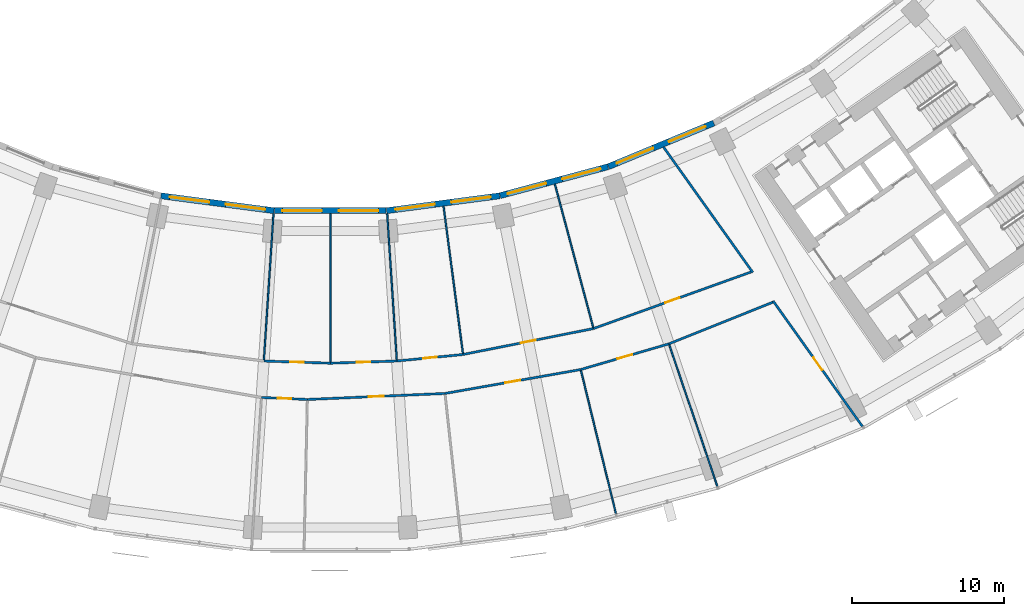
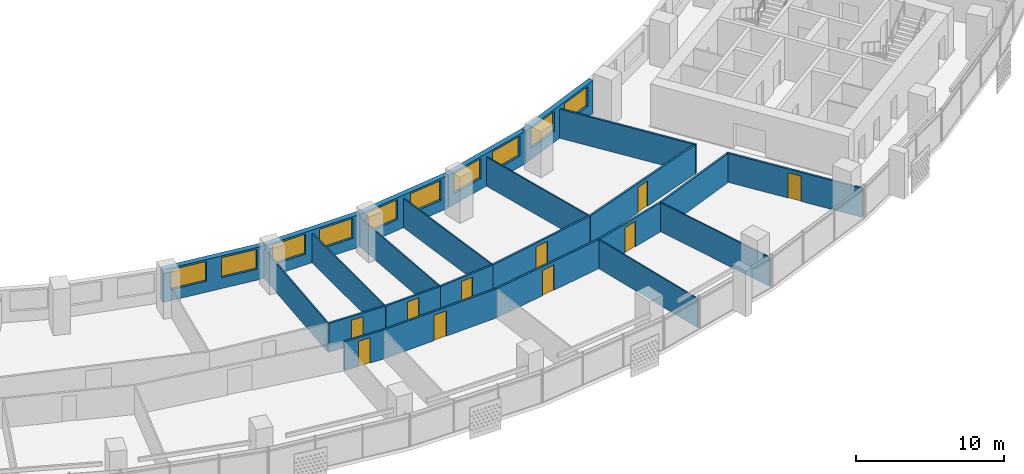
# One storey, part 6 of 29: 24 walls, 10 doors, 10 windows, 20 openings.
"""IFC4 building model written with IfcOpenShell, lengths in metres."""

from ifc_helpers import new_model, si_unit, direction, frame, frame_2d, origin, place, context, subcontext, project, spatial, rectangle, extrude, material, layer, layer_set, type_object, element, fill, save


model = new_model("IFC4")

# Units and contexts
model_context = context("Model", 3, precision=1e-05, world=origin(), true_north=direction((0.0, 1.0)))
body_context = subcontext(model_context, "Body", "Model", "MODEL_VIEW")
ifc_project = project(units=[si_unit("LENGTHUNIT", "METRE"), si_unit("AREAUNIT", "SQUARE_METRE"), si_unit("VOLUMEUNIT", "CUBIC_METRE"), si_unit("PLANEANGLEUNIT", "RADIAN"), si_unit("MASSUNIT", "GRAM", prefix="KILO")], contexts=[model_context])

# Site, building, storey
site_placement = place(None, origin())
site = spatial("IfcSite", under=ifc_project, at=site_placement, CompositionType="ELEMENT")
building_placement = place(site_placement, origin())
building = spatial("IfcBuilding", under=site, at=building_placement, Name="Qamariyya Broadcast Tower", CompositionType="ELEMENT")
storey_placement = place(building_placement, frame((0.0, 0.0, 136.699951171875)))
storey = spatial("IfcBuildingStorey", under=building, at=storey_placement, Name="L31", CompositionType="ELEMENT", Elevation=136.699951171875)

# Wall, opening, door
ifc_material_1 = material(Name="Gypsum board partition")
ifc_layer_1 = layer(ifc_material_1, 0.14990234375)
ifc_layer_set_1 = layer_set([ifc_layer_1], Name="Corridor partition 150 EI 60")
wall_type_1 = type_object("IfcWallType", Name="Corridor partition 150 EI 60", PredefinedType="PARTITIONING", material=ifc_layer_set_1)
wall_1_placement = place(storey_placement, frame((-1.511474609375, -69.18359375, 0.0), z_axis=(0.0, 0.0, 1.0), x_axis=(-0.999044980715, 0.043693552246, 0.0)))
wall_1 = element("IfcWall", 1, at=wall_1_placement, inside=storey, type_object=wall_type_1, Name="Partition L31-019", PredefinedType="PARTITIONING", context=body_context, shape_type="SweptSolid", body=[
    extrude(rectangle(XDim=3.017333984375, YDim=0.14990234375, at=frame_2d((1.5087890625, 0.0))), origin(), (0.0, 0.0, 1.0), 2.400146484375),
])
opening_1_placement = place(wall_1_placement, frame((1.05859375, 0.0, 0.0)))
opening_1 = element("IfcOpeningElement", 2, at=opening_1_placement, cuts=wall_1, Name="Opening L31-D04", PredefinedType="OPENING", context=body_context, shape_type="SweptSolid", body=[
    extrude(rectangle(XDim=0.89990234375, YDim=2.10009765625, at=frame_2d((0.449951171875, 1.050048828125))), frame((0.0, 0.0849609375, 0.0), z_axis=(0.0, -1.0, 0.0), x_axis=(1.0, 0.0, 0.0)), (0.0, 0.0, 1.0), 0.169921875),
])
ifc_material_2 = material(Name="Timber fire door leaf", Category="wood")
door_type_1 = type_object("IfcDoorType", Name="Fire door 900 x 2100 FD60", OperationType="NOTDEFINED", PredefinedType="DOOR", material=ifc_material_2)
door_1_placement = place(opening_1_placement, origin())
door_1 = element("IfcDoor", 3, at=door_1_placement, inside=storey, type_object=door_type_1, Name="Door L31-D04", OperationType="SINGLE_SWING_RIGHT", OverallHeight=2.10009765625, OverallWidth=0.89990234375, PredefinedType="DOOR", context=body_context, shape_type="SweptSolid", body=[
    extrude(rectangle(XDim=0.89990234375, YDim=2.10009765625, at=frame_2d((0.449951171875, 1.050048828125))), frame((0.0, 0.02490234375, 0.0), z_axis=(0.0, -1.0, 0.0), x_axis=(1.0, 0.0, 0.0)), (0.0, 0.0, 1.0), 0.050048828125),
])
fill(opening_1, door_1)

wall_2_placement = place(storey_placement, frame((-4.368896484375, -66.656982421875, 0.0), z_axis=(0.0, 0.0, 1.0), x_axis=(0.99946426167, -0.03272903366, 0.0)))
wall_2 = element("IfcWall", 4, at=wall_2_placement, inside=storey, type_object=wall_type_1, Name="Partition L31-020", PredefinedType="PARTITIONING", context=body_context, shape_type="SweptSolid", body=[
    extrude(rectangle(XDim=4.371337890625, YDim=0.14990234375, at=frame_2d((2.185546875, 0.0))), origin(), (0.0, 0.0, 1.0), 2.400146484375),
])
opening_2_placement = place(wall_2_placement, frame((1.735595703125, 0.0, 0.0)))
opening_2 = element("IfcOpeningElement", 5, at=opening_2_placement, cuts=wall_2, Name="Opening L31-D11", PredefinedType="OPENING", context=body_context, shape_type="SweptSolid", body=[
    extrude(rectangle(XDim=0.89990234375, YDim=2.10009765625, at=frame_2d((0.449951171875, 1.050048828125))), frame((0.0, 0.0849609375, 0.0), z_axis=(0.0, -1.0, 0.0), x_axis=(1.0, 0.0, 0.0)), (0.0, 0.0, 1.0), 0.169921875),
])
door_2_placement = place(opening_2_placement, origin())
door_2 = element("IfcDoor", 6, at=door_2_placement, inside=storey, type_object=door_type_1, Name="Door L31-D11", OperationType="SINGLE_SWING_RIGHT", OverallHeight=2.10009765625, OverallWidth=0.89990234375, PredefinedType="DOOR", context=body_context, shape_type="SweptSolid", body=[
    extrude(rectangle(XDim=0.89990234375, YDim=2.10009765625, at=frame_2d((0.449951171875, 1.050048828125))), frame((0.0, 0.02490234375, 0.0), z_axis=(0.0, -1.0, 0.0), x_axis=(1.0, 0.0, 0.0)), (0.0, 0.0, 1.0), 0.050048828125),
])
fill(opening_2, door_2)

wall_3_placement = place(storey_placement, frame((7.53173828125, -68.788818359375, 0.0), z_axis=(0.0, 0.0, 1.0), x_axis=(-0.999048509506, -0.043612792308, 0.0)))
wall_3 = element("IfcWall", 7, at=wall_3_placement, inside=storey, type_object=wall_type_1, Name="Partition L31-023", PredefinedType="PARTITIONING", context=body_context, shape_type="SweptSolid", body=[
    extrude(rectangle(XDim=9.0517578125, YDim=0.14990234375, at=frame_2d((4.52587890625, 0.0))), origin(), (0.0, 0.0, 1.0), 2.400146484375),
])
opening_3_placement = place(wall_3_placement, frame((4.02587890625, 0.0, 0.0)))
opening_3 = element("IfcOpeningElement", 8, at=opening_3_placement, cuts=wall_3, Name="Opening L31-D05", PredefinedType="OPENING", context=body_context, shape_type="SweptSolid", body=[
    extrude(rectangle(XDim=1.0, YDim=2.10009765625, at=frame_2d((0.5, 1.050048828125))), frame((0.0, 0.0849609375, 0.0), z_axis=(0.0, -1.0, 0.0), x_axis=(1.0, 0.0, 0.0)), (0.0, 0.0, 1.0), 0.169921875),
])
door_type_2 = type_object("IfcDoorType", Name="Fire door 1000 x 2100 FD60", OperationType="NOTDEFINED", PredefinedType="DOOR", material=ifc_material_2)
door_3_placement = place(opening_3_placement, origin())
door_3 = element("IfcDoor", 9, at=door_3_placement, inside=storey, type_object=door_type_2, Name="Door L31-D05", OperationType="SINGLE_SWING_RIGHT", OverallHeight=2.10009765625, OverallWidth=1.0, PredefinedType="DOOR", context=body_context, shape_type="SweptSolid", body=[
    extrude(rectangle(XDim=1.0, YDim=2.10009765625, at=frame_2d((0.5, 1.050048828125))), frame((0.0, 0.02490234375, 0.0), z_axis=(0.0, -1.0, 0.0), x_axis=(1.0, 0.0, 0.0)), (0.0, 0.0, 1.0), 0.050048828125),
])
fill(opening_3, door_3)

wall_4_placement = place(storey_placement, frame((0.0, -66.800048828125, 0.0), z_axis=(0.0, 0.0, 1.0), x_axis=(0.99946426167, 0.03272903366, 0.0)))
wall_4 = element("IfcWall", 10, at=wall_4_placement, inside=storey, type_object=wall_type_1, Name="Partition L31-024", PredefinedType="PARTITIONING", context=body_context, shape_type="SweptSolid", body=[
    extrude(rectangle(XDim=4.371337890625, YDim=0.14990234375, at=frame_2d((2.185546875, 0.0))), origin(), (0.0, 0.0, 1.0), 2.400146484375),
])
opening_4_placement = place(wall_4_placement, frame((1.735595703125, 0.0, 0.0)))
opening_4 = element("IfcOpeningElement", 11, at=opening_4_placement, cuts=wall_4, Name="Opening L31-D12", PredefinedType="OPENING", context=body_context, shape_type="SweptSolid", body=[
    extrude(rectangle(XDim=0.89990234375, YDim=2.10009765625, at=frame_2d((0.449951171875, 1.050048828125))), frame((0.0, 0.0849609375, 0.0), z_axis=(0.0, -1.0, 0.0), x_axis=(1.0, 0.0, 0.0)), (0.0, 0.0, 1.0), 0.169921875),
])
door_4_placement = place(opening_4_placement, origin())
door_4 = element("IfcDoor", 12, at=door_4_placement, inside=storey, type_object=door_type_1, Name="Door L31-D12", OperationType="SINGLE_SWING_RIGHT", OverallHeight=2.10009765625, OverallWidth=0.89990234375, PredefinedType="DOOR", context=body_context, shape_type="SweptSolid", body=[
    extrude(rectangle(XDim=0.89990234375, YDim=2.10009765625, at=frame_2d((0.449951171875, 1.050048828125))), frame((0.0, 0.02490234375, 0.0), z_axis=(0.0, -1.0, 0.0), x_axis=(1.0, 0.0, 0.0)), (0.0, 0.0, 1.0), 0.050048828125),
])
fill(opening_4, door_4)

wall_5_placement = place(storey_placement, frame((4.368896484375, -66.656982421875, 0.0), z_axis=(0.0, 0.0, 1.0), x_axis=(0.995184826457, 0.098016127192, 0.0)))
wall_5 = element("IfcWall", 13, at=wall_5_placement, inside=storey, type_object=wall_type_1, Name="Partition L31-027", PredefinedType="PARTITIONING", context=body_context, shape_type="SweptSolid", body=[
    extrude(rectangle(XDim=4.371337890625, YDim=0.14990234375, at=frame_2d((2.185546875, 0.0))), origin(), (0.0, 0.0, 1.0), 2.400146484375),
])
opening_5_placement = place(wall_5_placement, frame((1.735595703125, 0.0, 0.0)))
opening_5 = element("IfcOpeningElement", 14, at=opening_5_placement, cuts=wall_5, Name="Opening L31-D13", PredefinedType="OPENING", context=body_context, shape_type="SweptSolid", body=[
    extrude(rectangle(XDim=0.89990234375, YDim=2.10009765625, at=frame_2d((0.449951171875, 1.050048828125))), frame((0.0, 0.0849609375, 0.0), z_axis=(0.0, -1.0, 0.0), x_axis=(1.0, 0.0, 0.0)), (0.0, 0.0, 1.0), 0.169921875),
])
door_5_placement = place(opening_5_placement, origin())
door_5 = element("IfcDoor", 15, at=door_5_placement, inside=storey, type_object=door_type_1, Name="Door L31-D13", OperationType="SINGLE_SWING_RIGHT", OverallHeight=2.10009765625, OverallWidth=0.89990234375, PredefinedType="DOOR", context=body_context, shape_type="SweptSolid", body=[
    extrude(rectangle(XDim=0.89990234375, YDim=2.10009765625, at=frame_2d((0.449951171875, 1.050048828125))), frame((0.0, 0.02490234375, 0.0), z_axis=(0.0, -1.0, 0.0), x_axis=(1.0, 0.0, 0.0)), (0.0, 0.0, 1.0), 0.050048828125),
])
fill(opening_5, door_5)

wall_6_placement = place(storey_placement, frame((16.446044921875, -67.21728515625, 0.0), z_axis=(0.0, 0.0, 1.0), x_axis=(-0.984813412134, -0.173616080133, 0.0)))
wall_6 = element("IfcWall", 16, at=wall_6_placement, inside=storey, type_object=wall_type_1, Name="Partition L31-029", PredefinedType="PARTITIONING", context=body_context, shape_type="SweptSolid", body=[
    extrude(rectangle(XDim=9.0517578125, YDim=0.14990234375, at=frame_2d((4.52587890625, 0.0))), origin(), (0.0, 0.0, 1.0), 2.400146484375),
])
opening_6_placement = place(wall_6_placement, frame((4.02587890625, 0.0, 0.0)))
opening_6 = element("IfcOpeningElement", 17, at=opening_6_placement, cuts=wall_6, Name="Opening L31-D06", PredefinedType="OPENING", context=body_context, shape_type="SweptSolid", body=[
    extrude(rectangle(XDim=1.0, YDim=2.10009765625, at=frame_2d((0.5, 1.050048828125))), frame((0.0, 0.0849609375, 0.0), z_axis=(0.0, -1.0, 0.0), x_axis=(1.0, 0.0, 0.0)), (0.0, 0.0, 1.0), 0.169921875),
])
door_6_placement = place(opening_6_placement, origin())
door_6 = element("IfcDoor", 18, at=door_6_placement, inside=storey, type_object=door_type_2, Name="Door L31-D06", OperationType="SINGLE_SWING_RIGHT", OverallHeight=2.10009765625, OverallWidth=1.0, PredefinedType="DOOR", context=body_context, shape_type="SweptSolid", body=[
    extrude(rectangle(XDim=1.0, YDim=2.10009765625, at=frame_2d((0.5, 1.050048828125))), frame((0.0, 0.02490234375, 0.0), z_axis=(0.0, -1.0, 0.0), x_axis=(1.0, 0.0, 0.0)), (0.0, 0.0, 1.0), 0.050048828125),
])
fill(opening_6, door_6)

wall_7_placement = place(storey_placement, frame((8.71923828125, -66.228515625, 0.0), z_axis=(0.0, 0.0, 1.0), x_axis=(0.980786466832, 0.195084357342, 0.0)))
wall_7 = element("IfcWall", 19, at=wall_7_placement, inside=storey, type_object=wall_type_1, Name="Partition L31-031", PredefinedType="PARTITIONING", context=body_context, shape_type="SweptSolid", body=[
    extrude(rectangle(XDim=8.73779296875, YDim=0.14990234375, at=frame_2d((4.368896484375, 0.0))), origin(), (0.0, 0.0, 1.0), 2.400146484375),
])
opening_7_placement = place(wall_7_placement, frame((3.868896484375, 0.0, 0.0)))
opening_7 = element("IfcOpeningElement", 20, at=opening_7_placement, cuts=wall_7, Name="Opening L31-D14", PredefinedType="OPENING", context=body_context, shape_type="SweptSolid", body=[
    extrude(rectangle(XDim=1.0, YDim=2.10009765625, at=frame_2d((0.5, 1.050048828125))), frame((0.0, 0.0849609375, 0.0), z_axis=(0.0, -1.0, 0.0), x_axis=(1.0, 0.0, 0.0)), (0.0, 0.0, 1.0), 0.169921875),
])
door_7_placement = place(opening_7_placement, origin())
door_7 = element("IfcDoor", 21, at=door_7_placement, inside=storey, type_object=door_type_2, Name="Door L31-D14", OperationType="SINGLE_SWING_RIGHT", OverallHeight=2.10009765625, OverallWidth=1.0, PredefinedType="DOOR", context=body_context, shape_type="SweptSolid", body=[
    extrude(rectangle(XDim=1.0, YDim=2.10009765625, at=frame_2d((0.5, 1.050048828125))), frame((0.0, 0.02490234375, 0.0), z_axis=(0.0, -1.0, 0.0), x_axis=(1.0, 0.0, 0.0)), (0.0, 0.0, 1.0), 0.050048828125),
])
fill(opening_7, door_7)

wall_8_placement = place(storey_placement, frame((22.24365234375, -65.527587890625, 0.0), z_axis=(0.0, 0.0, 1.0), x_axis=(-0.960056580345, -0.279805937279, 0.0)))
wall_8 = element("IfcWall", 22, at=wall_8_placement, inside=storey, type_object=wall_type_1, Name="Partition L31-033", PredefinedType="PARTITIONING", context=body_context, shape_type="SweptSolid", body=[
    extrude(rectangle(XDim=6.038818359375, YDim=0.14990234375, at=frame_2d((3.01953125, 0.0))), origin(), (0.0, 0.0, 1.0), 2.400146484375),
])
opening_8_placement = place(wall_8_placement, frame((2.51953125, 0.0, 0.0)))
opening_8 = element("IfcOpeningElement", 23, at=opening_8_placement, cuts=wall_8, Name="Opening L31-D07", PredefinedType="OPENING", context=body_context, shape_type="SweptSolid", body=[
    extrude(rectangle(XDim=1.0, YDim=2.10009765625, at=frame_2d((0.5, 1.050048828125))), frame((0.0, 0.0849609375, 0.0), z_axis=(0.0, -1.0, 0.0), x_axis=(1.0, 0.0, 0.0)), (0.0, 0.0, 1.0), 0.169921875),
])
door_8_placement = place(opening_8_placement, origin())
door_8 = element("IfcDoor", 24, at=door_8_placement, inside=storey, type_object=door_type_2, Name="Door L31-D07", OperationType="SINGLE_SWING_RIGHT", OverallHeight=2.10009765625, OverallWidth=1.0, PredefinedType="DOOR", context=body_context, shape_type="SweptSolid", body=[
    extrude(rectangle(XDim=1.0, YDim=2.10009765625, at=frame_2d((0.5, 1.050048828125))), frame((0.0, 0.02490234375, 0.0), z_axis=(0.0, -1.0, 0.0), x_axis=(1.0, 0.0, 0.0)), (0.0, 0.0, 1.0), 0.050048828125),
])
fill(opening_8, door_8)

wall_9_placement = place(storey_placement, frame((17.2890625, -64.52392578125, 0.0), z_axis=(0.0, 0.0, 1.0), x_axis=(0.941150861554, 0.337986768669, 0.0)))
wall_9 = element("IfcWall", 25, at=wall_9_placement, inside=storey, type_object=wall_type_1, Name="Partition L31-034", PredefinedType="PARTITIONING", context=body_context, shape_type="SweptSolid", body=[
    extrude(rectangle(XDim=10.998291015625, YDim=0.14990234375, at=frame_2d((5.4990234375, 0.0))), origin(), (0.0, 0.0, 1.0), 2.400146484375),
])
opening_9_placement = place(wall_9_placement, frame((4.9990234375, 0.0, 0.0)))
opening_9 = element("IfcOpeningElement", 26, at=opening_9_placement, cuts=wall_9, Name="Opening L31-D15", PredefinedType="OPENING", context=body_context, shape_type="SweptSolid", body=[
    extrude(rectangle(XDim=1.0, YDim=2.10009765625, at=frame_2d((0.5, 1.050048828125))), frame((0.0, 0.0849609375, 0.0), z_axis=(0.0, -1.0, 0.0), x_axis=(1.0, 0.0, 0.0)), (0.0, 0.0, 1.0), 0.169921875),
])
door_9_placement = place(opening_9_placement, origin())
door_9 = element("IfcDoor", 27, at=door_9_placement, inside=storey, type_object=door_type_2, Name="Door L31-D15", OperationType="SINGLE_SWING_RIGHT", OverallHeight=2.10009765625, OverallWidth=1.0, PredefinedType="DOOR", context=body_context, shape_type="SweptSolid", body=[
    extrude(rectangle(XDim=1.0, YDim=2.10009765625, at=frame_2d((0.5, 1.050048828125))), frame((0.0, 0.02490234375, 0.0), z_axis=(0.0, -1.0, 0.0), x_axis=(1.0, 0.0, 0.0)), (0.0, 0.0, 1.0), 0.050048828125),
])
fill(opening_9, door_9)

# Walls
wall_10_placement = place(storey_placement, frame((21.8837890625, -52.59765625, 0.0), z_axis=(0.0, 0.0, 1.0), x_axis=(0.580016763963, -0.814604538118, 0.0)))
element("IfcWall", 28, at=wall_10_placement, inside=storey, type_object=wall_type_1, Name="Partition L31-036", PredefinedType="PARTITIONING", context=body_context, shape_type="SweptSolid", body=[
    extrude(rectangle(XDim=10.12109375, YDim=0.14990234375, at=frame_2d((5.060546875, 0.0))), origin(), (0.0, 0.0, 1.0), 2.400146484375),
])
wall_11_placement = place(storey_placement, frame((22.24365234375, -65.527587890625, 0.0), z_axis=(0.0, 0.0, 1.0), x_axis=(0.92834358791, 0.371723261025, 0.0)))
element("IfcWall", 29, at=wall_11_placement, inside=storey, type_object=wall_type_1, Name="Partition L31-037", PredefinedType="PARTITIONING", context=body_context, shape_type="SweptSolid", body=[
    extrude(rectangle(XDim=7.340087890625, YDim=0.14990234375, at=frame_2d((3.669921875, 0.0))), origin(), (0.0, 0.0, 1.0), 2.400146484375),
])

# Wall, opening, door
wall_12_placement = place(storey_placement, frame((34.95751953125, -70.958984375, 0.0), z_axis=(0.0, 0.0, 1.0), x_axis=(-0.580031092611, 0.814594335608, 0.0)))
wall_12 = element("IfcWall", 30, at=wall_12_placement, inside=storey, type_object=wall_type_1, Name="Partition L31-039", PredefinedType="PARTITIONING", context=body_context, shape_type="SweptSolid", body=[
    extrude(rectangle(XDim=10.126220703125, YDim=0.14990234375, at=frame_2d((5.06298828125, 0.0))), origin(), (0.0, 0.0, 1.0), 2.400146484375),
])
opening_10_placement = place(wall_12_placement, frame((4.563232421875, 0.0, 0.0)))
opening_10 = element("IfcOpeningElement", 31, at=opening_10_placement, cuts=wall_12, Name="Opening L31-D08", PredefinedType="OPENING", context=body_context, shape_type="SweptSolid", body=[
    extrude(rectangle(XDim=1.0, YDim=2.10009765625, at=frame_2d((0.5, 1.050048828125))), frame((0.0, 0.0849609375, 0.0), z_axis=(0.0, -1.0, 0.0), x_axis=(1.0, 0.0, 0.0)), (0.0, 0.0, 1.0), 0.169921875),
])
door_10_placement = place(opening_10_placement, origin())
door_10 = element("IfcDoor", 32, at=door_10_placement, inside=storey, type_object=door_type_2, Name="Door L31-D08", OperationType="SINGLE_SWING_RIGHT", OverallHeight=2.10009765625, OverallWidth=1.0, PredefinedType="DOOR", context=body_context, shape_type="SweptSolid", body=[
    extrude(rectangle(XDim=1.0, YDim=2.10009765625, at=frame_2d((0.5, 1.050048828125))), frame((0.0, 0.02490234375, 0.0), z_axis=(0.0, -1.0, 0.0), x_axis=(1.0, 0.0, 0.0)), (0.0, 0.0, 1.0), 0.050048828125),
])
fill(opening_10, door_10)

# Walls
ifc_layer_2 = layer(ifc_material_1, 0.10009765625)
ifc_layer_set_2 = layer_set([ifc_layer_2], Name="Partition 100")
wall_type_2 = type_object("IfcWallType", Name="Partition 100", PredefinedType="PARTITIONING", material=ifc_layer_set_2)
wall_13_placement = place(storey_placement, frame((-3.734619140625, -56.977783203125, 0.0), z_axis=(0.0, 0.0, 1.0), x_axis=(-0.065392665599, -0.997859609006, 0.0)))
element("IfcWall", 33, at=wall_13_placement, inside=storey, type_object=wall_type_2, Name="Partition L31-021", PredefinedType="PARTITIONING", context=body_context, shape_type="SweptSolid", body=[
    extrude(rectangle(XDim=9.624755859375, YDim=0.10009765625, at=frame_2d((4.8125, 0.0))), origin(), (0.0, 0.0, 1.0), 2.400146484375),
])
wall_14_placement = place(storey_placement, frame((0.0, -56.978515625, 0.0), z_axis=(0.0, 0.0, 1.0), x_axis=(0.0, -1.0, 0.0)))
element("IfcWall", 34, at=wall_14_placement, inside=storey, type_object=wall_type_2, Name="Partition L31-025", PredefinedType="PARTITIONING", context=body_context, shape_type="SweptSolid", body=[
    extrude(rectangle(XDim=9.74658203125, YDim=0.10009765625, at=frame_2d((4.873291015625, 0.0))), origin(), (0.0, 0.0, 1.0), 2.400146484375),
])
wall_15_placement = place(storey_placement, frame((3.734619140625, -56.977783203125, 0.0), z_axis=(0.0, 0.0, 1.0), x_axis=(0.065392665599, -0.997859609006, 0.0)))
element("IfcWall", 35, at=wall_15_placement, inside=storey, type_object=wall_type_2, Name="Partition L31-026", PredefinedType="PARTITIONING", context=body_context, shape_type="SweptSolid", body=[
    extrude(rectangle(XDim=9.624755859375, YDim=0.10009765625, at=frame_2d((4.8125, 0.0))), origin(), (0.0, 0.0, 1.0), 2.400146484375),
])
for number, where, z_axis, x_axis, name in (
    (36, (7.437255859375, -56.4912109375, 0.0), (0.0, 0.0, 1.0), (0.13053421433, -0.99144380521, 0.0), "Partition L31-028"),
    (37, (14.7470703125, -55.037109375, 0.0), (0.0, 0.0, 1.0), (0.258833329344, -0.965921998725, 0.0), "Partition L31-032"),
):
    element("IfcWall", number, at=place(storey_placement, frame(where, z_axis=z_axis, x_axis=x_axis)), inside=storey, type_object=wall_type_2, Name=name, PredefinedType="PARTITIONING", context=body_context, shape_type="SweptSolid", body=[
        extrude(rectangle(XDim=9.746337890625, YDim=0.10009765625, at=frame_2d((4.873046875, 0.0))), origin(), (0.0, 0.0, 1.0), 2.400146484375),
    ])
wall_16_placement = place(storey_placement, frame((18.762939453125, -76.68701171875, 0.0), z_axis=(0.0, 0.0, 1.0), x_axis=(-0.237657357205, 0.971349051869, 0.0)))
element("IfcWall", 38, at=wall_16_placement, inside=storey, type_object=wall_type_2, Name="Partition L31-035", PredefinedType="PARTITIONING", context=body_context, shape_type="SweptSolid", body=[
    extrude(rectangle(XDim=9.673828125, YDim=0.10009765625, at=frame_2d((4.8369140625, 0.0))), origin(), (0.0, 0.0, 1.0), 2.400146484375),
])
wall_17_placement = place(storey_placement, frame((25.42578125, -74.902099609375, 0.0), z_axis=(0.0, 0.0, 1.0), x_axis=(-0.3214264651, 0.94693454237, 0.0)))
element("IfcWall", 39, at=wall_17_placement, inside=storey, type_object=wall_type_2, Name="Partition L31-038", PredefinedType="PARTITIONING", context=body_context, shape_type="SweptSolid", body=[
    extrude(rectangle(XDim=9.82470703125, YDim=0.10009765625, at=frame_2d((4.912353515625, 0.0))), origin(), (0.0, 0.0, 1.0), 2.400146484375),
])

# Wall, openings, windows
ifc_material_3 = material(Name="Terracotta", Category="masonry")
ifc_layer_3 = layer(ifc_material_3, 0.39990234375)
ifc_layer_set_3 = layer_set([ifc_layer_3], Name="Terracotta clad wall 400")
wall_type_3 = type_object("IfcWallType", Name="Terracotta clad wall 400", PredefinedType="SOLIDWALL", material=ifc_layer_set_3)
wall_18_placement = place(storey_placement, frame((11.12548828125, -55.803955078125, 0.0), z_axis=(0.0, 0.0, 1.0), x_axis=(-0.991444533306, -0.130528684121, 0.0)))
wall_18 = element("IfcWall", 40, at=wall_18_placement, inside=storey, type_object=wall_type_3, Name="e-wl-L31-in100", PredefinedType="SOLIDWALL", context=body_context, shape_type="SweptSolid", body=[
    extrude(rectangle(XDim=7.492919921875, YDim=0.39990234375, at=frame_2d((3.74658203125, 0.0))), origin(), (0.0, 0.0, 1.0), 2.699951171875),
])
opening_11_placement = place(wall_18_placement, frame((4.300537109375, 0.0, 0.89990234375)))
opening_11 = element("IfcOpeningElement", 41, at=opening_11_placement, cuts=wall_18, Name="Opening W1", PredefinedType="OPENING", context=body_context, shape_type="SweptSolid", body=[
    extrude(rectangle(XDim=2.60009765625, YDim=1.64990234375, at=frame_2d((1.300048828125, 0.824951171875))), frame((0.0, 0.2099609375, 0.0), z_axis=(0.0, -1.0, 0.0), x_axis=(1.0, 0.0, 0.0)), (0.0, 0.0, 1.0), 0.419921875),
])
opening_12_placement = place(wall_18_placement, frame((0.59228515625, 0.0, 0.89990234375)))
opening_12 = element("IfcOpeningElement", 42, at=opening_12_placement, cuts=wall_18, Name="Opening W1", PredefinedType="OPENING", context=body_context, shape_type="SweptSolid", body=[
    extrude(rectangle(XDim=2.60009765625, YDim=1.64990234375, at=frame_2d((1.300048828125, 0.824951171875))), frame((0.0, 0.2099609375, 0.0), z_axis=(0.0, -1.0, 0.0), x_axis=(1.0, 0.0, 0.0)), (0.0, 0.0, 1.0), 0.419921875),
])
ifc_material_4 = material(Name="Clear low-e double glazed unit in aluminium frame", Category="aluminium")
window_type = type_object("IfcWindowType", Name="Ribbon window 2600 x 1650", PartitioningType="SINGLE_PANEL", PredefinedType="WINDOW", material=ifc_material_4)
window_1_placement = place(opening_11_placement, origin())
window_1 = element("IfcWindow", 43, at=window_1_placement, inside=storey, type_object=window_type, Name="e-w-L31-in10-0", OverallHeight=1.64990234375, OverallWidth=2.60009765625, PartitioningType="SINGLE_PANEL", PredefinedType="WINDOW", context=body_context, shape_type="SweptSolid", body=[
    extrude(rectangle(XDim=2.60009765625, YDim=1.64990234375, at=frame_2d((1.300048828125, 0.824951171875))), frame((0.0, 0.030029296875, 0.0), z_axis=(0.0, -1.0, 0.0), x_axis=(1.0, 0.0, 0.0)), (0.0, 0.0, 1.0), 0.06005859375),
])
fill(opening_11, window_1)
window_2_placement = place(opening_12_placement, origin())
window_2 = element("IfcWindow", 44, at=window_2_placement, inside=storey, type_object=window_type, Name="e-w-L31-in10-1", OverallHeight=1.64990234375, OverallWidth=2.60009765625, PartitioningType="SINGLE_PANEL", PredefinedType="WINDOW", context=body_context, shape_type="SweptSolid", body=[
    extrude(rectangle(XDim=2.60009765625, YDim=1.64990234375, at=frame_2d((1.300048828125, 0.824951171875))), frame((0.0, 0.030029296875, 0.0), z_axis=(0.0, -1.0, 0.0), x_axis=(1.0, 0.0, 0.0)), (0.0, 0.0, 1.0), 0.06005859375),
])
fill(opening_12, window_2)

wall_19_placement = place(storey_placement, frame((18.240966796875, -53.893798828125, 0.0), z_axis=(0.0, 0.0, 1.0), x_axis=(-0.965924597867, -0.258823629594, 0.0)))
wall_19 = element("IfcWall", 45, at=wall_19_placement, inside=storey, type_object=wall_type_3, Name="e-wl-L31-in110", PredefinedType="SOLIDWALL", context=body_context, shape_type="SweptSolid", body=[
    extrude(rectangle(XDim=7.341552734375, YDim=0.39990234375, at=frame_2d((3.6708984375, 0.0))), origin(), (0.0, 0.0, 1.0), 2.699951171875),
])
opening_13_placement = place(wall_19_placement, frame((4.224853515625, 0.0, 0.89990234375)))
opening_13 = element("IfcOpeningElement", 46, at=opening_13_placement, cuts=wall_19, Name="Opening W1", PredefinedType="OPENING", context=body_context, shape_type="SweptSolid", body=[
    extrude(rectangle(XDim=2.60009765625, YDim=1.64990234375, at=frame_2d((1.300048828125, 0.824951171875))), frame((0.0, 0.2099609375, 0.0), z_axis=(0.0, -1.0, 0.0), x_axis=(1.0, 0.0, 0.0)), (0.0, 0.0, 1.0), 0.419921875),
])
opening_14_placement = place(wall_19_placement, frame((0.5166015625, 0.0, 0.89990234375)))
opening_14 = element("IfcOpeningElement", 47, at=opening_14_placement, cuts=wall_19, Name="Opening W1", PredefinedType="OPENING", context=body_context, shape_type="SweptSolid", body=[
    extrude(rectangle(XDim=2.60009765625, YDim=1.64990234375, at=frame_2d((1.300048828125, 0.824951171875))), frame((0.0, 0.2099609375, 0.0), z_axis=(0.0, -1.0, 0.0), x_axis=(1.0, 0.0, 0.0)), (0.0, 0.0, 1.0), 0.419921875),
])
window_3_placement = place(opening_13_placement, origin())
window_3 = element("IfcWindow", 48, at=window_3_placement, inside=storey, type_object=window_type, Name="e-w-L31-in11-0", OverallHeight=1.64990234375, OverallWidth=2.60009765625, PartitioningType="SINGLE_PANEL", PredefinedType="WINDOW", context=body_context, shape_type="SweptSolid", body=[
    extrude(rectangle(XDim=2.60009765625, YDim=1.64990234375, at=frame_2d((1.300048828125, 0.824951171875))), frame((0.0, 0.030029296875, 0.0), z_axis=(0.0, -1.0, 0.0), x_axis=(1.0, 0.0, 0.0)), (0.0, 0.0, 1.0), 0.06005859375),
])
fill(opening_13, window_3)
window_4_placement = place(opening_14_placement, origin())
window_4 = element("IfcWindow", 49, at=window_4_placement, inside=storey, type_object=window_type, Name="e-w-L31-in11-1", OverallHeight=1.64990234375, OverallWidth=2.60009765625, PartitioningType="SINGLE_PANEL", PredefinedType="WINDOW", context=body_context, shape_type="SweptSolid", body=[
    extrude(rectangle(XDim=2.60009765625, YDim=1.64990234375, at=frame_2d((1.300048828125, 0.824951171875))), frame((0.0, 0.030029296875, 0.0), z_axis=(0.0, -1.0, 0.0), x_axis=(1.0, 0.0, 0.0)), (0.0, 0.0, 1.0), 0.06005859375),
])
fill(opening_14, window_4)

wall_20_placement = place(storey_placement, frame((25.189453125, -51.02294921875, 0.0), z_axis=(0.0, 0.0, 1.0), x_axis=(-0.923879826967, -0.382682721486, 0.0)))
wall_20 = element("IfcWall", 50, at=wall_20_placement, inside=storey, type_object=wall_type_3, Name="e-wl-L31-in120", PredefinedType="SOLIDWALL", context=body_context, shape_type="SweptSolid", body=[
    extrude(rectangle(XDim=7.492919921875, YDim=0.39990234375, at=frame_2d((3.74658203125, 0.0))), origin(), (0.0, 0.0, 1.0), 2.699951171875),
])
opening_15_placement = place(wall_20_placement, frame((4.300537109375, 0.0, 0.89990234375)))
opening_15 = element("IfcOpeningElement", 51, at=opening_15_placement, cuts=wall_20, Name="Opening W1", PredefinedType="OPENING", context=body_context, shape_type="SweptSolid", body=[
    extrude(rectangle(XDim=2.60009765625, YDim=1.64990234375, at=frame_2d((1.300048828125, 0.824951171875))), frame((0.0, 0.2099609375, 0.0), z_axis=(0.0, -1.0, 0.0), x_axis=(1.0, 0.0, 0.0)), (0.0, 0.0, 1.0), 0.419921875),
])
opening_16_placement = place(wall_20_placement, frame((0.59228515625, 0.0, 0.89990234375)))
opening_16 = element("IfcOpeningElement", 52, at=opening_16_placement, cuts=wall_20, Name="Opening W1", PredefinedType="OPENING", context=body_context, shape_type="SweptSolid", body=[
    extrude(rectangle(XDim=2.60009765625, YDim=1.64990234375, at=frame_2d((1.300048828125, 0.824951171875))), frame((0.0, 0.2099609375, 0.0), z_axis=(0.0, -1.0, 0.0), x_axis=(1.0, 0.0, 0.0)), (0.0, 0.0, 1.0), 0.419921875),
])
window_5_placement = place(opening_15_placement, origin())
window_5 = element("IfcWindow", 53, at=window_5_placement, inside=storey, type_object=window_type, Name="e-w-L31-in12-0", OverallHeight=1.64990234375, OverallWidth=2.60009765625, PartitioningType="SINGLE_PANEL", PredefinedType="WINDOW", context=body_context, shape_type="SweptSolid", body=[
    extrude(rectangle(XDim=2.60009765625, YDim=1.64990234375, at=frame_2d((1.300048828125, 0.824951171875))), frame((0.0, 0.030029296875, 0.0), z_axis=(0.0, -1.0, 0.0), x_axis=(1.0, 0.0, 0.0)), (0.0, 0.0, 1.0), 0.06005859375),
])
fill(opening_15, window_5)
window_6_placement = place(opening_16_placement, origin())
window_6 = element("IfcWindow", 54, at=window_6_placement, inside=storey, type_object=window_type, Name="e-w-L31-in12-1", OverallHeight=1.64990234375, OverallWidth=2.60009765625, PartitioningType="SINGLE_PANEL", PredefinedType="WINDOW", context=body_context, shape_type="SweptSolid", body=[
    extrude(rectangle(XDim=2.60009765625, YDim=1.64990234375, at=frame_2d((1.300048828125, 0.824951171875))), frame((0.0, 0.030029296875, 0.0), z_axis=(0.0, -1.0, 0.0), x_axis=(1.0, 0.0, 0.0)), (0.0, 0.0, 1.0), 0.06005859375),
])
fill(opening_16, window_6)

wall_21_placement = place(storey_placement, frame((-3.69677734375, -56.781982421875, 0.0), z_axis=(0.0, 0.0, 1.0), x_axis=(-0.991444533306, 0.130528684121, 0.0)))
wall_21 = element("IfcWall", 55, at=wall_21_placement, inside=storey, type_object=wall_type_3, Name="e-wl-L31-in80", PredefinedType="SOLIDWALL", context=body_context, shape_type="SweptSolid", body=[
    extrude(rectangle(XDim=7.492919921875, YDim=0.39990234375, at=frame_2d((3.74658203125, 0.0))), origin(), (0.0, 0.0, 1.0), 2.699951171875),
])
opening_17_placement = place(wall_21_placement, frame((4.300537109375, 0.0, 0.89990234375)))
opening_17 = element("IfcOpeningElement", 56, at=opening_17_placement, cuts=wall_21, Name="Opening W1", PredefinedType="OPENING", context=body_context, shape_type="SweptSolid", body=[
    extrude(rectangle(XDim=2.60009765625, YDim=1.64990234375, at=frame_2d((1.300048828125, 0.824951171875))), frame((0.0, 0.2099609375, 0.0), z_axis=(0.0, -1.0, 0.0), x_axis=(1.0, 0.0, 0.0)), (0.0, 0.0, 1.0), 0.419921875),
])
opening_18_placement = place(wall_21_placement, frame((0.59228515625, 0.0, 0.89990234375)))
opening_18 = element("IfcOpeningElement", 57, at=opening_18_placement, cuts=wall_21, Name="Opening W1", PredefinedType="OPENING", context=body_context, shape_type="SweptSolid", body=[
    extrude(rectangle(XDim=2.60009765625, YDim=1.64990234375, at=frame_2d((1.300048828125, 0.824951171875))), frame((0.0, 0.2099609375, 0.0), z_axis=(0.0, -1.0, 0.0), x_axis=(1.0, 0.0, 0.0)), (0.0, 0.0, 1.0), 0.419921875),
])
window_7_placement = place(opening_17_placement, origin())
window_7 = element("IfcWindow", 58, at=window_7_placement, inside=storey, type_object=window_type, Name="e-w-L31-in08-0", OverallHeight=1.64990234375, OverallWidth=2.60009765625, PartitioningType="SINGLE_PANEL", PredefinedType="WINDOW", context=body_context, shape_type="SweptSolid", body=[
    extrude(rectangle(XDim=2.60009765625, YDim=1.64990234375, at=frame_2d((1.300048828125, 0.824951171875))), frame((0.0, 0.030029296875, 0.0), z_axis=(0.0, -1.0, 0.0), x_axis=(1.0, 0.0, 0.0)), (0.0, 0.0, 1.0), 0.06005859375),
])
fill(opening_17, window_7)
window_8_placement = place(opening_18_placement, origin())
window_8 = element("IfcWindow", 59, at=window_8_placement, inside=storey, type_object=window_type, Name="e-w-L31-in08-1", OverallHeight=1.64990234375, OverallWidth=2.60009765625, PartitioningType="SINGLE_PANEL", PredefinedType="WINDOW", context=body_context, shape_type="SweptSolid", body=[
    extrude(rectangle(XDim=2.60009765625, YDim=1.64990234375, at=frame_2d((1.300048828125, 0.824951171875))), frame((0.0, 0.030029296875, 0.0), z_axis=(0.0, -1.0, 0.0), x_axis=(1.0, 0.0, 0.0)), (0.0, 0.0, 1.0), 0.06005859375),
])
fill(opening_18, window_8)

wall_22_placement = place(storey_placement, frame((3.670654296875, -56.778564453125, 0.0), z_axis=(0.0, 0.0, 1.0), x_axis=(-1.0, 0.0, 0.0)))
wall_22 = element("IfcWall", 60, at=wall_22_placement, inside=storey, type_object=wall_type_3, Name="e-wl-L31-in90", PredefinedType="SOLIDWALL", context=body_context, shape_type="SweptSolid", body=[
    extrude(rectangle(XDim=7.34130859375, YDim=0.39990234375, at=frame_2d((3.670654296875, 0.0))), origin(), (0.0, 0.0, 1.0), 2.699951171875),
])
opening_19_placement = place(wall_22_placement, frame((4.224853515625, 0.0, 0.89990234375)))
opening_19 = element("IfcOpeningElement", 61, at=opening_19_placement, cuts=wall_22, Name="Opening W1", PredefinedType="OPENING", context=body_context, shape_type="SweptSolid", body=[
    extrude(rectangle(XDim=2.60009765625, YDim=1.64990234375, at=frame_2d((1.300048828125, 0.824951171875))), frame((0.0, 0.2099609375, 0.0), z_axis=(0.0, -1.0, 0.0), x_axis=(1.0, 0.0, 0.0)), (0.0, 0.0, 1.0), 0.419921875),
])
opening_20_placement = place(wall_22_placement, frame((0.5166015625, 0.0, 0.89990234375)))
opening_20 = element("IfcOpeningElement", 62, at=opening_20_placement, cuts=wall_22, Name="Opening W1", PredefinedType="OPENING", context=body_context, shape_type="SweptSolid", body=[
    extrude(rectangle(XDim=2.60009765625, YDim=1.64990234375, at=frame_2d((1.300048828125, 0.824951171875))), frame((0.0, 0.2099609375, 0.0), z_axis=(0.0, -1.0, 0.0), x_axis=(1.0, 0.0, 0.0)), (0.0, 0.0, 1.0), 0.419921875),
])
window_9_placement = place(opening_19_placement, origin())
window_9 = element("IfcWindow", 63, at=window_9_placement, inside=storey, type_object=window_type, Name="e-w-L31-in09-0", OverallHeight=1.64990234375, OverallWidth=2.60009765625, PartitioningType="SINGLE_PANEL", PredefinedType="WINDOW", context=body_context, shape_type="SweptSolid", body=[
    extrude(rectangle(XDim=2.60009765625, YDim=1.64990234375, at=frame_2d((1.300048828125, 0.824951171875))), frame((0.0, 0.030029296875, 0.0), z_axis=(0.0, -1.0, 0.0), x_axis=(1.0, 0.0, 0.0)), (0.0, 0.0, 1.0), 0.06005859375),
])
fill(opening_19, window_9)
window_10_placement = place(opening_20_placement, origin())
window_10 = element("IfcWindow", 64, at=window_10_placement, inside=storey, type_object=window_type, Name="e-w-L31-in09-1", OverallHeight=1.64990234375, OverallWidth=2.60009765625, PartitioningType="SINGLE_PANEL", PredefinedType="WINDOW", context=body_context, shape_type="SweptSolid", body=[
    extrude(rectangle(XDim=2.60009765625, YDim=1.64990234375, at=frame_2d((1.300048828125, 0.824951171875))), frame((0.0, 0.030029296875, 0.0), z_axis=(0.0, -1.0, 0.0), x_axis=(1.0, 0.0, 0.0)), (0.0, 0.0, 1.0), 0.06005859375),
])
fill(opening_20, window_10)

save(model, "model.ifc")
